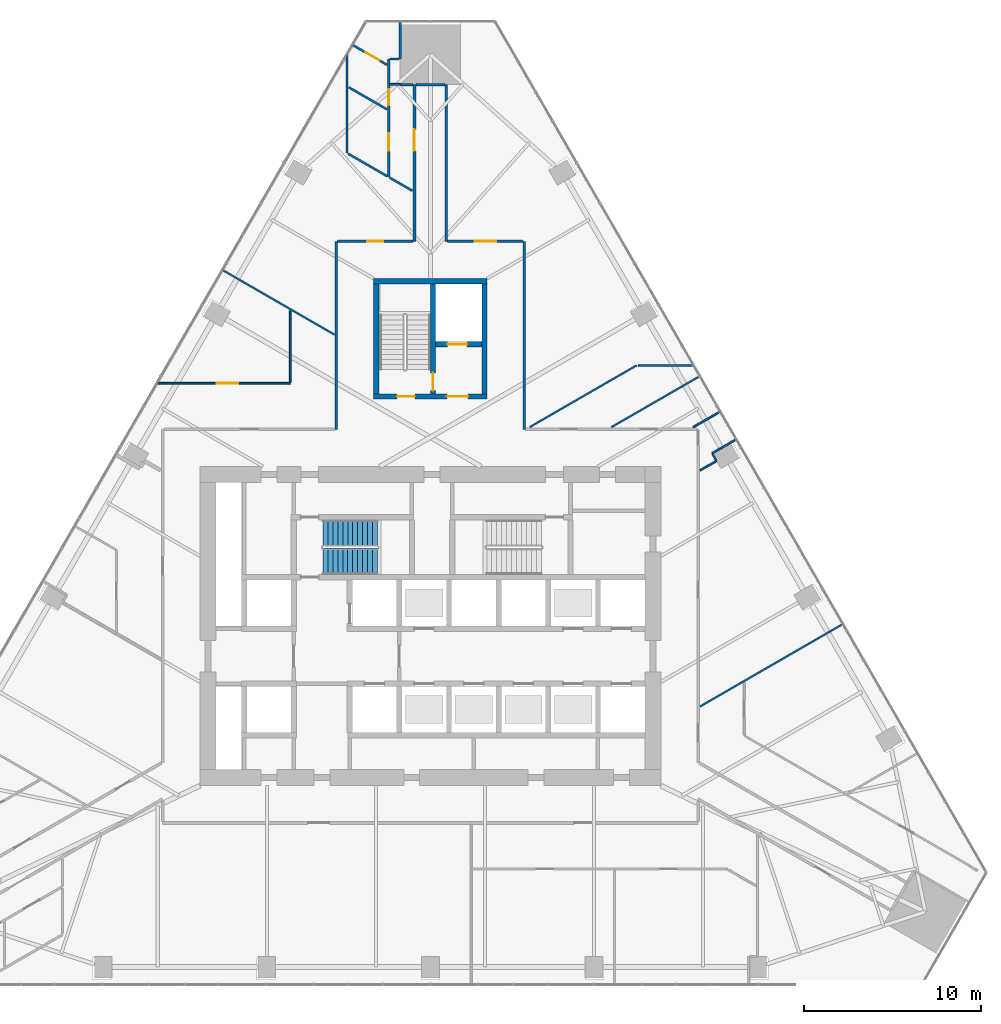
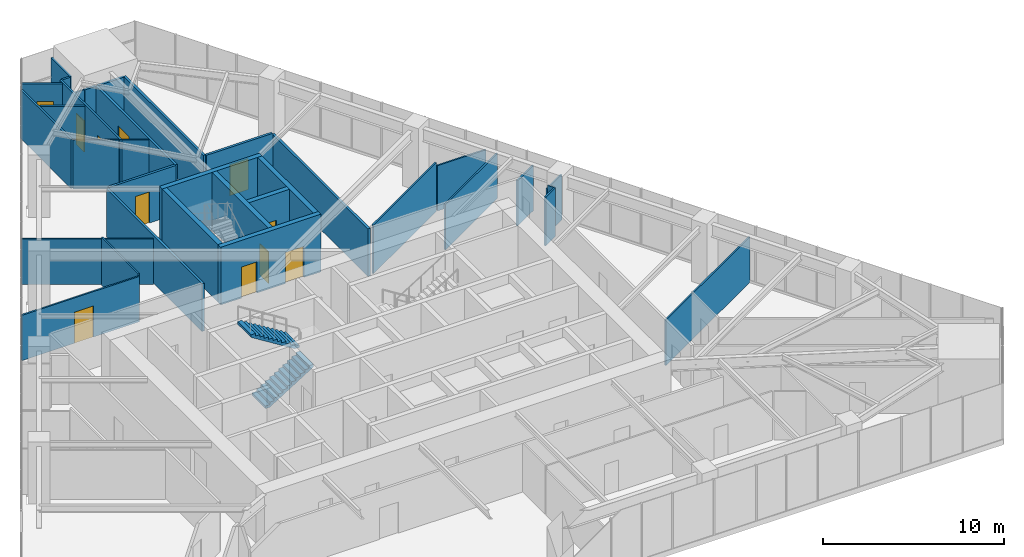
# One storey, part 16 of 19: 34 walls, 11 doors, 2 stair flights, 11 openings, 1 element without a shape of its own.
"""IFC4 building model written with IfcOpenShell, lengths in metres."""

from ifc_helpers import new_model, si_unit, direction, frame, frame_2d, origin, place, context, subcontext, project, spatial, polyline, rectangle, outline, extrude, material, layer, layer_set, type_object, element, fill, aggregate, save


model = new_model("IFC4")

# Units and contexts
model_context = context("Model", 3, precision=1e-05, world=origin(), true_north=direction((0.0, 1.0)))
body_context = subcontext(model_context, "Body", "Model", "MODEL_VIEW")
ifc_project = project(units=[si_unit("LENGTHUNIT", "METRE"), si_unit("AREAUNIT", "SQUARE_METRE"), si_unit("VOLUMEUNIT", "CUBIC_METRE"), si_unit("PLANEANGLEUNIT", "RADIAN"), si_unit("MASSUNIT", "GRAM", prefix="KILO")], contexts=[model_context])

# Site, building, storey
site_placement = place(None, origin())
site = spatial("IfcSite", under=ifc_project, at=site_placement, CompositionType="ELEMENT")
building_placement = place(site_placement, origin())
building = spatial("IfcBuilding", under=site, at=building_placement, Name="Firuza Gate Tower and Library", CompositionType="ELEMENT")
storey_placement = place(building_placement, frame((0.0, 0.0, 136.60009765625)))
storey = spatial("IfcBuildingStorey", under=building, at=storey_placement, Name="L31", CompositionType="ELEMENT", Elevation=136.60009765625)

# Wall, openings, doors
ifc_material_1 = material(Name="Concrete C80/95", Category="concrete")
ifc_layer_1 = layer(ifc_material_1, 0.300048828125)
ifc_layer_set_1 = layer_set([ifc_layer_1], Name="Core wall 300 C80/95")
wall_type_1 = type_object("IfcWallType", Name="Core wall 300 C80/95", PredefinedType="SHEAR", material=ifc_layer_set_1)
wall_1_placement = place(storey_placement, frame((71.800048828125, 87.949951171875, 0.0), z_axis=(0.0, 0.0, 1.0), x_axis=(1.0, 0.0, 0.0)))
wall_1 = element("IfcWall", 1, at=wall_1_placement, inside=storey, type_object=wall_type_1, Name="Core wall L31 34", PredefinedType="SHEAR", context=body_context, shape_type="SweptSolid", body=[
    extrude(rectangle(XDim=6.39990234375, YDim=0.300048828125, at=frame_2d((3.199951171875, 0.0))), origin(), (0.0, 0.0, 1.0), 3.89990234375),
])
opening_1_placement = place(wall_1_placement, frame((1.324951171875, 0.0, 0.0)))
opening_1 = element("IfcOpeningElement", 2, at=opening_1_placement, cuts=wall_1, Name="Opening L31-K17", PredefinedType="OPENING", context=body_context, shape_type="SweptSolid", body=[
    extrude(rectangle(XDim=1.0, YDim=2.10009765625, at=frame_2d((0.5, 1.050048828125))), frame((0.0, 0.16015625, 0.0), z_axis=(0.0, -1.0, 0.0), x_axis=(1.0, 0.0, 0.0)), (0.0, 0.0, 1.0), 0.320068359375),
])
opening_2_placement = place(wall_1_placement, frame((4.125, 0.0, 0.0)))
opening_2 = element("IfcOpeningElement", 3, at=opening_2_placement, cuts=wall_1, Name="Opening L31-K19", PredefinedType="OPENING", context=body_context, shape_type="SweptSolid", body=[
    extrude(rectangle(XDim=1.199951171875, YDim=2.10009765625, at=frame_2d((0.60009765625, 1.050048828125))), frame((0.0, 0.16015625, 0.0), z_axis=(0.0, -1.0, 0.0), x_axis=(1.0, 0.0, 0.0)), (0.0, 0.0, 1.0), 0.320068359375),
])
ifc_material_2 = material(Name="Steel", Category="steel")
door_type_1 = type_object("IfcDoorType", Name="Fire door 1000x2100 FD90", OperationType="NOTDEFINED", PredefinedType="DOOR", material=ifc_material_2)
door_1_placement = place(opening_1_placement, origin())
door_1 = element("IfcDoor", 4, at=door_1_placement, inside=storey, type_object=door_type_1, Name="Door L31-K17", OperationType="SINGLE_SWING_RIGHT", OverallHeight=2.10009765625, OverallWidth=1.0, PredefinedType="DOOR", context=body_context, shape_type="SweptSolid", body=[
    extrude(rectangle(XDim=1.0, YDim=2.10009765625, at=frame_2d((0.5, 1.050048828125))), frame((0.0, 0.02490234375, 0.0), z_axis=(0.0, -1.0, 0.0), x_axis=(1.0, 0.0, 0.0)), (0.0, 0.0, 1.0), 0.050048828125),
])
fill(opening_1, door_1)
ifc_material_3 = material(Name="Steel", Category="steel")
door_type_2 = type_object("IfcDoorType", Name="Fire door 1200x2100 FD30S", OperationType="NOTDEFINED", PredefinedType="DOOR", material=ifc_material_3)
door_2_placement = place(opening_2_placement, origin())
door_2 = element("IfcDoor", 5, at=door_2_placement, inside=storey, type_object=door_type_2, Name="Door L31-K19", OperationType="SINGLE_SWING_RIGHT", OverallHeight=2.10009765625, OverallWidth=1.199951171875, PredefinedType="DOOR", context=body_context, shape_type="SweptSolid", body=[
    extrude(rectangle(XDim=1.199951171875, YDim=2.10009765625, at=frame_2d((0.60009765625, 1.050048828125))), frame((0.0, 0.02490234375, 0.0), z_axis=(0.0, -1.0, 0.0), x_axis=(1.0, 0.0, 0.0)), (0.0, 0.0, 1.0), 0.050048828125),
])
fill(opening_2, door_2)

# Walls
wall_2_placement = place(storey_placement, frame((71.800048828125, 94.449951171875, 0.0), z_axis=(0.0, 0.0, 1.0), x_axis=(1.0, 0.0, 0.0)))
element("IfcWall", 6, at=wall_2_placement, inside=storey, type_object=wall_type_1, Name="Core wall L31 35", PredefinedType="SHEAR", context=body_context, shape_type="SweptSolid", body=[
    extrude(rectangle(XDim=6.39990234375, YDim=0.300048828125, at=frame_2d((3.199951171875, 0.0))), origin(), (0.0, 0.0, 1.0), 3.89990234375),
])
for number, where, z_axis, x_axis, name in (
    (7, (71.949951171875, 88.10009765625, 0.0), (0.0, 0.0, 1.0), (0.0, 1.0, 0.0), "Core wall L31 36"),
    (8, (78.050048828125, 88.10009765625, 0.0), (0.0, 0.0, 1.0), (0.0, 1.0, 0.0), "Core wall L31 37"),
):
    element("IfcWall", number, at=place(storey_placement, frame(where, z_axis=z_axis, x_axis=x_axis)), inside=storey, type_object=wall_type_1, Name=name, PredefinedType="SHEAR", context=body_context, shape_type="SweptSolid", body=[
        extrude(rectangle(XDim=6.199951171875, YDim=0.300048828125, at=frame_2d((3.10009765625, 0.0))), origin(), (0.0, 0.0, 1.0), 3.89990234375),
    ])

# Wall, opening, door
wall_3_placement = place(storey_placement, frame((75.300048828125, 90.89990234375, 0.0), z_axis=(0.0, 0.0, 1.0), x_axis=(1.0, 0.0, 0.0)))
wall_3 = element("IfcWall", 9, at=wall_3_placement, inside=storey, type_object=wall_type_1, Name="Core wall L31 38", PredefinedType="SHEAR", context=body_context, shape_type="SweptSolid", body=[
    extrude(rectangle(XDim=2.599853515625, YDim=0.300048828125, at=frame_2d((1.2998046875, 0.0))), origin(), (0.0, 0.0, 1.0), 3.89990234375),
])
opening_3_placement = place(wall_3_placement, frame((0.675048828125, 0.0, 0.0)))
opening_3 = element("IfcOpeningElement", 10, at=opening_3_placement, cuts=wall_3, Name="Opening LD-SV1-L31", PredefinedType="OPENING", context=body_context, shape_type="SweptSolid", body=[
    extrude(rectangle(XDim=1.10009765625, YDim=2.10009765625, at=frame_2d((0.550048828125, 1.050048828125))), frame((0.0, 0.16015625, 0.0), z_axis=(0.0, -1.0, 0.0), x_axis=(1.0, 0.0, 0.0)), (0.0, 0.0, 1.0), 0.320068359375),
])
ifc_material_4 = material(Name="Stainless steel", Category="steel")
door_type_3 = type_object("IfcDoorType", Name="Lift landing door 1100x2100", OperationType="DOUBLE_DOOR_SLIDING", PredefinedType="DOOR", material=ifc_material_4)
door_3_placement = place(opening_3_placement, origin())
door_3 = element("IfcDoor", 11, at=door_3_placement, inside=storey, type_object=door_type_3, Name="Landing door SV1 L31", OperationType="DOUBLE_DOOR_SLIDING", OverallHeight=2.10009765625, OverallWidth=1.10009765625, PredefinedType="DOOR", context=body_context, shape_type="SweptSolid", body=[
    extrude(rectangle(XDim=1.10009765625, YDim=2.10009765625, at=frame_2d((0.550048828125, 1.050048828125))), frame((0.0, 0.02490234375, 0.0), z_axis=(0.0, -1.0, 0.0), x_axis=(1.0, 0.0, 0.0)), (0.0, 0.0, 1.0), 0.050048828125),
])
fill(opening_3, door_3)

wall_4_placement = place(storey_placement, frame((75.14990234375, 88.10009765625, 0.0), z_axis=(0.0, 0.0, 1.0), x_axis=(0.0, 1.0, 0.0)))
wall_4 = element("IfcWall", 12, at=wall_4_placement, inside=storey, type_object=wall_type_1, Name="Core wall L31 39", PredefinedType="SHEAR", context=body_context, shape_type="SweptSolid", body=[
    extrude(rectangle(XDim=6.199951171875, YDim=0.300048828125, at=frame_2d((3.10009765625, 0.0))), origin(), (0.0, 0.0, 1.0), 3.89990234375),
])
opening_4_placement = place(wall_4_placement, frame((0.18505859375, 0.0, 0.0)))
opening_4 = element("IfcOpeningElement", 13, at=opening_4_placement, cuts=wall_4, Name="Opening L31-K18", PredefinedType="OPENING", context=body_context, shape_type="SweptSolid", body=[
    extrude(rectangle(XDim=1.0, YDim=2.10009765625, at=frame_2d((0.5, 1.050048828125))), frame((0.0, 0.16015625, 0.0), z_axis=(0.0, -1.0, 0.0), x_axis=(1.0, 0.0, 0.0)), (0.0, 0.0, 1.0), 0.320068359375),
])
door_4_placement = place(opening_4_placement, origin())
door_4 = element("IfcDoor", 14, at=door_4_placement, inside=storey, type_object=door_type_1, Name="Door L31-K18", OperationType="SINGLE_SWING_LEFT", OverallHeight=2.10009765625, OverallWidth=1.0, PredefinedType="DOOR", context=body_context, shape_type="SweptSolid", body=[
    extrude(rectangle(XDim=1.0, YDim=2.10009765625, at=frame_2d((0.5, 1.050048828125))), frame((0.0, 0.02490234375, 0.0), z_axis=(0.0, -1.0, 0.0), x_axis=(1.0, 0.0, 0.0)), (0.0, 0.0, 1.0), 0.050048828125),
])
fill(opening_4, door_4)

ifc_material_5 = material(Name="Gypsum board partition")
ifc_layer_2 = layer(ifc_material_5, 0.14990234375)
ifc_layer_set_2 = layer_set([ifc_layer_2], Name="Corridor wall 150 double board on steel studs")
wall_type_2 = type_object("IfcWallType", Name="Corridor wall 150 double board on steel studs", PredefinedType="PARTITIONING", material=ifc_layer_set_2)
wall_5_placement = place(storey_placement, frame((69.775390625, 96.699951171875, 0.0), z_axis=(0.0, 0.0, 1.0), x_axis=(1.0, 0.0, 0.0)))
wall_5 = element("IfcWall", 15, at=wall_5_placement, inside=storey, type_object=wall_type_2, Name="f:L31:w007", PredefinedType="PARTITIONING", context=body_context, shape_type="SweptSolid", body=[
    extrude(rectangle(XDim=4.24951171875, YDim=0.14990234375, at=frame_2d((2.124755859375, 0.0))), origin(), (0.0, 0.0, 1.0), 3.2998046875),
])
opening_5_placement = place(wall_5_placement, frame((1.6748046875, 0.0, 0.0)))
opening_5 = element("IfcOpeningElement", 16, at=opening_5_placement, cuts=wall_5, Name="Opening L31-09", PredefinedType="OPENING", context=body_context, shape_type="SweptSolid", body=[
    extrude(rectangle(XDim=0.89990234375, YDim=2.10009765625, at=frame_2d((0.449951171875, 1.050048828125))), frame((0.0, 0.0849609375, 0.0), z_axis=(0.0, -1.0, 0.0), x_axis=(1.0, 0.0, 0.0)), (0.0, 0.0, 1.0), 0.169921875),
])
ifc_material_6 = material(Name="Steel door and timber leaf", Category="steel")
door_type_4 = type_object("IfcDoorType", Name="Fire door 900 x 2100 steel frame, timber leaf", OperationType="NOTDEFINED", PredefinedType="DOOR", material=ifc_material_6)
door_5_placement = place(opening_5_placement, origin())
door_5 = element("IfcDoor", 17, at=door_5_placement, inside=storey, type_object=door_type_4, Name="f:L31:d009", OperationType="SINGLE_SWING_RIGHT", OverallHeight=2.10009765625, OverallWidth=0.89990234375, PredefinedType="DOOR", context=body_context, shape_type="SweptSolid", body=[
    extrude(rectangle(XDim=0.89990234375, YDim=2.10009765625, at=frame_2d((0.449951171875, 1.050048828125))), frame((0.0, 0.02490234375, 0.0), z_axis=(0.0, -1.0, 0.0), x_axis=(1.0, 0.0, 0.0)), (0.0, 0.0, 1.0), 0.050048828125),
])
fill(opening_5, door_5)

wall_6_placement = place(storey_placement, frame((75.97509765625, 96.699951171875, 0.0), z_axis=(0.0, 0.0, 1.0), x_axis=(1.0, 0.0, 0.0)))
wall_6 = element("IfcWall", 18, at=wall_6_placement, inside=storey, type_object=wall_type_2, Name="f:L31:w008", PredefinedType="PARTITIONING", context=body_context, shape_type="SweptSolid", body=[
    extrude(rectangle(XDim=4.249267578125, YDim=0.14990234375, at=frame_2d((2.12451171875, 0.0))), origin(), (0.0, 0.0, 1.0), 3.2998046875),
])
opening_6_placement = place(wall_6_placement, frame((1.524658203125, 0.0, 0.0)))
opening_6 = element("IfcOpeningElement", 19, at=opening_6_placement, cuts=wall_6, Name="Opening L31-10", PredefinedType="OPENING", context=body_context, shape_type="SweptSolid", body=[
    extrude(rectangle(XDim=1.199951171875, YDim=2.10009765625, at=frame_2d((0.60009765625, 1.050048828125))), frame((0.0, 0.0849609375, 0.0), z_axis=(0.0, -1.0, 0.0), x_axis=(1.0, 0.0, 0.0)), (0.0, 0.0, 1.0), 0.169921875),
])
ifc_material_7 = material(Name="Steel door and timber leaf", Category="steel")
door_type_5 = type_object("IfcDoorType", Name="Fire door 1200 x 2100 steel frame, double leaf", OperationType="NOTDEFINED", PredefinedType="DOOR", material=ifc_material_7)
door_6_placement = place(opening_6_placement, origin())
door_6 = element("IfcDoor", 20, at=door_6_placement, inside=storey, type_object=door_type_5, Name="f:L31:d010", OperationType="DOUBLE_DOOR_SINGLE_SWING", OverallHeight=2.10009765625, OverallWidth=1.199951171875, PredefinedType="DOOR", context=body_context, shape_type="SweptSolid", body=[
    extrude(rectangle(XDim=1.199951171875, YDim=2.10009765625, at=frame_2d((0.60009765625, 1.050048828125))), frame((0.0, 0.02490234375, 0.0), z_axis=(0.0, -1.0, 0.0), x_axis=(1.0, 0.0, 0.0)), (0.0, 0.0, 1.0), 0.050048828125),
])
fill(opening_6, door_6)

# Walls
wall_7_placement = place(storey_placement, frame((73.300537109375, 105.528076171875, 0.0), z_axis=(0.0, 0.0, 1.0), x_axis=(1.0, 0.0, 0.0)))
element("IfcWall", 21, at=wall_7_placement, inside=storey, type_object=wall_type_2, Name="f:L31:w009", PredefinedType="PARTITIONING", context=body_context, shape_type="SweptSolid", body=[
    extrude(rectangle(XDim=0.724365234375, YDim=0.14990234375, at=frame_2d((0.3623046875, 0.0))), origin(), (0.0, 0.0, 1.0), 3.2998046875),
])
wall_8_placement = place(storey_placement, frame((80.300048828125, 86.10009765625, 0.0), z_axis=(0.0, 0.0, 1.0), x_axis=(0.0, 1.0, 0.0)))
element("IfcWall", 22, at=wall_8_placement, inside=storey, type_object=wall_type_2, Name="f:L31:w036", PredefinedType="PARTITIONING", context=body_context, shape_type="SweptSolid", body=[
    extrude(rectangle(XDim=10.599365234375, YDim=0.14990234375, at=frame_2d((5.2998046875, 0.0))), origin(), (0.0, 0.0, 1.0), 3.221923828125),
])
wall_9_placement = place(storey_placement, frame((75.89990234375, 96.699951171875, 0.0), z_axis=(0.0, 0.0, 1.0), x_axis=(0.0, 1.0, 0.0)))
element("IfcWall", 23, at=wall_9_placement, inside=storey, type_object=wall_type_2, Name="f:L31:w038", PredefinedType="PARTITIONING", context=body_context, shape_type="SweptSolid", body=[
    extrude(rectangle(XDim=8.827880859375, YDim=0.14990234375, at=frame_2d((4.4140625, 0.0))), origin(), (0.0, 0.0, 1.0), 3.2998046875),
])

# Wall, opening, door
wall_10_placement = place(storey_placement, frame((74.10009765625, 96.699951171875, 0.0), z_axis=(0.0, 0.0, 1.0), x_axis=(0.0, 1.0, 0.0)))
wall_10 = element("IfcWall", 24, at=wall_10_placement, inside=storey, type_object=wall_type_2, Name="f:L31:w039", PredefinedType="PARTITIONING", context=body_context, shape_type="SweptSolid", body=[
    extrude(rectangle(XDim=8.828369140625, YDim=0.14990234375, at=frame_2d((4.4140625, 0.0))), origin(), (0.0, 0.0, 1.0), 3.2998046875),
])
opening_7_placement = place(wall_10_placement, frame((5.103515625, 0.0, 0.0)))
opening_7 = element("IfcOpeningElement", 25, at=opening_7_placement, cuts=wall_10, Name="Opening L31-21", PredefinedType="OPENING", context=body_context, shape_type="SweptSolid", body=[
    extrude(rectangle(XDim=1.199951171875, YDim=2.10009765625, at=frame_2d((0.60009765625, 1.050048828125))), frame((0.0, 0.0849609375, 0.0), z_axis=(0.0, -1.0, 0.0), x_axis=(1.0, 0.0, 0.0)), (0.0, 0.0, 1.0), 0.169921875),
])
door_7_placement = place(opening_7_placement, origin())
door_7 = element("IfcDoor", 26, at=door_7_placement, inside=storey, type_object=door_type_5, Name="f:L31:d021", OperationType="DOUBLE_DOOR_SINGLE_SWING", OverallHeight=2.10009765625, OverallWidth=1.199951171875, PredefinedType="DOOR", context=body_context, shape_type="SweptSolid", body=[
    extrude(rectangle(XDim=1.199951171875, YDim=2.10009765625, at=frame_2d((0.60009765625, 1.050048828125))), frame((0.0, 0.02490234375, 0.0), z_axis=(0.0, -1.0, 0.0), x_axis=(1.0, 0.0, 0.0)), (0.0, 0.0, 1.0), 0.050048828125),
])
fill(opening_7, door_7)

# Walls
wall_11_placement = place(storey_placement, frame((69.699951171875, 86.10009765625, 0.0), z_axis=(0.0, 0.0, 1.0), x_axis=(0.0, 1.0, 0.0)))
element("IfcWall", 27, at=wall_11_placement, inside=storey, type_object=wall_type_2, Name="f:L31:w043", PredefinedType="PARTITIONING", context=body_context, shape_type="SweptSolid", body=[
    extrude(rectangle(XDim=10.599365234375, YDim=0.14990234375, at=frame_2d((5.2998046875, 0.0))), origin(), (0.0, 0.0, 1.0), 3.221923828125),
])
wall_12_placement = place(storey_placement, frame((74.175048828125, 105.528076171875, 0.0), z_axis=(0.0, 0.0, 1.0), x_axis=(1.0, 0.0, 0.0)))
element("IfcWall", 28, at=wall_12_placement, inside=storey, type_object=wall_type_2, Name="f:L31:w073", PredefinedType="PARTITIONING", context=body_context, shape_type="SweptSolid", body=[
    extrude(rectangle(XDim=1.6494140625, YDim=0.14990234375, at=frame_2d((0.82470703125, 0.0))), origin(), (0.0, 0.0, 1.0), 3.296875),
])

# Wall, opening, door
ifc_material_8 = material(Name="Gypsum board partition")
ifc_layer_3 = layer(ifc_material_8, 0.10009765625)
ifc_layer_set_3 = layer_set([ifc_layer_3], Name="Partition 100 gypsum board on steel studs")
wall_type_3 = type_object("IfcWallType", Name="Partition 100 gypsum board on steel studs", PredefinedType="PARTITIONING", material=ifc_layer_set_3)
wall_13_placement = place(storey_placement, frame((67.099609375, 88.699951171875, 0.0), z_axis=(0.0, 0.0, 1.0), x_axis=(-1.0, 0.0, 0.0)))
wall_13 = element("IfcWall", 29, at=wall_13_placement, inside=storey, type_object=wall_type_3, Name="f:L31:w005", PredefinedType="PARTITIONING", context=body_context, shape_type="SweptSolid", body=[
    extrude(rectangle(XDim=7.50537109375, YDim=0.10009765625, at=frame_2d((3.752685546875, 0.0))), origin(), (0.0, 0.0, 1.0), 3.06494140625),
])
opening_8_placement = place(wall_13_placement, frame((2.94482421875, 0.0, 0.0)))
opening_8 = element("IfcOpeningElement", 30, at=opening_8_placement, cuts=wall_13, Name="Opening L31-08", PredefinedType="OPENING", context=body_context, shape_type="SweptSolid", body=[
    extrude(rectangle(XDim=1.199951171875, YDim=2.10009765625, at=frame_2d((0.60009765625, 1.050048828125))), frame((0.0, 0.06005859375, 0.0), z_axis=(0.0, -1.0, 0.0), x_axis=(1.0, 0.0, 0.0)), (0.0, 0.0, 1.0), 0.1201171875),
])
ifc_material_9 = material(Name="Glazed aluminium door", Category="aluminium")
door_type_6 = type_object("IfcDoorType", Name="Door 1200 x 2100 glazed double leaf", OperationType="NOTDEFINED", PredefinedType="DOOR", material=ifc_material_9)
door_8_placement = place(opening_8_placement, origin())
door_8 = element("IfcDoor", 31, at=door_8_placement, inside=storey, type_object=door_type_6, Name="f:L31:d008", OperationType="DOUBLE_DOOR_SINGLE_SWING", OverallHeight=2.10009765625, OverallWidth=1.199951171875, PredefinedType="DOOR", context=body_context, shape_type="SweptSolid", body=[
    extrude(rectangle(XDim=1.199951171875, YDim=2.10009765625, at=frame_2d((0.60009765625, 1.050048828125))), frame((0.0, 0.02490234375, 0.0), z_axis=(0.0, -1.0, 0.0), x_axis=(1.0, 0.0, 0.0)), (0.0, 0.0, 1.0), 0.050048828125),
])
fill(opening_8, door_8)

# Walls
wall_14_placement = place(storey_placement, frame((86.728271484375, 89.699951171875, 0.0), z_axis=(0.0, 0.0, 1.0), x_axis=(1.0, 0.0, 0.0)))
element("IfcWall", 32, at=wall_14_placement, inside=storey, type_object=wall_type_3, Name="f:L31:w006", PredefinedType="PARTITIONING", context=body_context, shape_type="SweptSolid", body=[
    extrude(rectangle(XDim=3.10009765625, YDim=0.10009765625, at=frame_2d((1.550048828125, 0.0))), origin(), (0.0, 0.0, 1.0), 3.06494140625),
])
wall_15_placement = place(storey_placement, frame((72.7099609375, 105.548095703125, 0.0), z_axis=(0.0, 0.0, 1.0), x_axis=(1.0, 0.0, 0.0)))
element("IfcWall", 33, at=wall_15_placement, inside=storey, type_object=wall_type_3, Name="f:L31:w010", PredefinedType="PARTITIONING", context=body_context, shape_type="SweptSolid", body=[
    extrude(rectangle(XDim=0.590087890625, YDim=0.10009765625, at=frame_2d((0.294921875, 0.0))), origin(), (0.0, 0.0, 1.0), 3.2998046875),
])
wall_16_placement = place(storey_placement, frame((90.200927734375, 70.4638671875, 0.0), z_axis=(0.0, 0.0, 1.0), x_axis=(0.8660316334, 0.499989209833, 0.0)))
element("IfcWall", 34, at=wall_16_placement, inside=storey, type_object=wall_type_3, Name="f:L31:w013", PredefinedType="PARTITIONING", context=body_context, shape_type="SweptSolid", body=[
    extrude(rectangle(XDim=9.295654296875, YDim=0.10009765625, at=frame_2d((4.64794921875, 0.0))), origin(), (0.0, 0.0, 1.0), 3.06494140625),
])
wall_17_placement = place(storey_placement, frame((90.200927734375, 83.7763671875, 0.0), z_axis=(0.0, 0.0, 1.0), x_axis=(0.866034889475, 0.499983569942, 0.0)))
element("IfcWall", 35, at=wall_17_placement, inside=storey, type_object=wall_type_3, Name="f:L31:w018", PredefinedType="PARTITIONING", context=body_context, shape_type="SweptSolid", body=[
    extrude(rectangle(XDim=1.0791015625, YDim=0.10009765625, at=frame_2d((0.53955078125, 0.0))), origin(), (0.0, 0.0, 1.0), 3.2998046875),
])
wall_18_placement = place(storey_placement, frame((90.885498046875, 84.7490234375, 0.0), z_axis=(0.0, 0.0, 1.0), x_axis=(0.866029224906, 0.499993381564, 0.0)))
element("IfcWall", 36, at=wall_18_placement, inside=storey, type_object=wall_type_3, Name="f:L31:w019", PredefinedType="PARTITIONING", context=body_context, shape_type="SweptSolid", body=[
    extrude(rectangle(XDim=1.56005859375, YDim=0.10009765625, at=frame_2d((0.780029296875, 0.0))), origin(), (0.0, 0.0, 1.0), 3.06494140625),
])
wall_19_placement = place(storey_placement, frame((89.82177734375, 86.22021484375, 0.0), z_axis=(0.0, 0.0, 1.0), x_axis=(0.866022549299, 0.50000494408, 0.0)))
element("IfcWall", 37, at=wall_19_placement, inside=storey, type_object=wall_type_3, Name="f:L31:w021", PredefinedType="PARTITIONING", context=body_context, shape_type="SweptSolid", body=[
    extrude(rectangle(XDim=1.74560546875, YDim=0.10009765625, at=frame_2d((0.872802734375, 0.0))), origin(), (0.0, 0.0, 1.0), 3.06494140625),
])
wall_20_placement = place(storey_placement, frame((85.210693359375, 86.219482421875, 0.0), z_axis=(0.0, 0.0, 1.0), x_axis=(0.866012033619, 0.50002315709, 0.0)))
element("IfcWall", 38, at=wall_20_placement, inside=storey, type_object=wall_type_3, Name="f:L31:w023", PredefinedType="PARTITIONING", context=body_context, shape_type="SweptSolid", body=[
    extrude(rectangle(XDim=5.739501953125, YDim=0.10009765625, at=frame_2d((2.86962890625, 0.0))), origin(), (0.0, 0.0, 1.0), 3.06494140625),
])
wall_21_placement = place(storey_placement, frame((80.59912109375, 86.2197265625, 0.0), z_axis=(0.0, 0.0, 1.0), x_axis=(0.866015615191, 0.500016953958, 0.0)))
element("IfcWall", 39, at=wall_21_placement, inside=storey, type_object=wall_type_3, Name="f:L31:w024", PredefinedType="PARTITIONING", context=body_context, shape_type="SweptSolid", body=[
    extrude(rectangle(XDim=6.960693359375, YDim=0.10009765625, at=frame_2d((3.48046875, 0.0))), origin(), (0.0, 0.0, 1.0), 3.2998046875),
])
wall_22_placement = place(storey_placement, frame((67.10009765625, 88.75048828125, 0.0), z_axis=(0.0, 0.0, 1.0), x_axis=(0.0, 1.0, 0.0)))
element("IfcWall", 40, at=wall_22_placement, inside=storey, type_object=wall_type_3, Name="f:L31:w044", PredefinedType="PARTITIONING", context=body_context, shape_type="SweptSolid", body=[
    extrude(rectangle(XDim=4.03515625, YDim=0.10009765625, at=frame_2d((2.017578125, 0.0))), origin(), (0.0, 0.0, 1.0), 3.221923828125),
])
wall_23_placement = place(storey_placement, frame((91.10595703125, 84.367919921875, 0.0), z_axis=(0.0, 0.0, 1.0), x_axis=(-0.499975232926, 0.866039702589, 0.0)))
element("IfcWall", 41, at=wall_23_placement, inside=storey, type_object=wall_type_3, Name="f:L31:w051", PredefinedType="PARTITIONING", context=body_context, shape_type="SweptSolid", body=[
    extrude(rectangle(XDim=0.39013671875, YDim=0.10009765625, at=frame_2d((0.195068359375, 0.0))), origin(), (0.0, 0.0, 1.0), 3.2998046875),
])
wall_24_placement = place(storey_placement, frame((69.59912109375, 91.430908203125, 0.0), z_axis=(0.0, 0.0, 1.0), x_axis=(-0.866036312054, 0.499981105847, 0.0)))
element("IfcWall", 42, at=wall_24_placement, inside=storey, type_object=wall_type_3, Name="f:L31:w057", PredefinedType="PARTITIONING", context=body_context, shape_type="SweptSolid", body=[
    extrude(rectangle(XDim=7.299072265625, YDim=0.10009765625, at=frame_2d((3.6494140625, 0.0))), origin(), (0.0, 0.0, 1.0), 3.06494140625),
])
ifc_material_10 = material(Name="Gypsum board partition")
ifc_layer_4 = layer(ifc_material_10, 0.1201171875)
ifc_layer_set_4 = layer_set([ifc_layer_4], Name="Wet-area partition 120 moisture-resistant board")
wall_type_4 = type_object("IfcWallType", Name="Wet-area partition 120 moisture-resistant board", PredefinedType="PARTITIONING", material=ifc_layer_set_4)
wall_25_placement = place(storey_placement, frame((72.7099609375, 106.97802734375, 0.0), z_axis=(0.0, 0.0, 1.0), x_axis=(1.0, 0.0, 0.0)))
element("IfcWall", 43, at=wall_25_placement, inside=storey, type_object=wall_type_4, Name="f:L31:w011", PredefinedType="PARTITIONING", context=body_context, shape_type="SweptSolid", body=[
    extrude(rectangle(XDim=0.530029296875, YDim=0.1201171875, at=frame_2d((0.26513671875, 0.0))), origin(), (0.0, 0.0, 1.0), 3.2998046875),
])
wall_26_placement = place(storey_placement, frame((73.300048828125, 106.978271484375, 0.0), z_axis=(0.0, 0.0, 1.0), x_axis=(0.0, 1.0, 0.0)))
element("IfcWall", 44, at=wall_26_placement, inside=storey, type_object=wall_type_4, Name="f:L31:w040", PredefinedType="PARTITIONING", context=body_context, shape_type="SweptSolid", body=[
    extrude(rectangle(XDim=2.110107421875, YDim=0.1201171875, at=frame_2d((1.05517578125, 0.0))), origin(), (0.0, 0.0, 1.0), 3.2998046875),
])

# Wall, openings, doors
wall_27_placement = place(storey_placement, frame((72.64990234375, 106.978271484375, 0.0), z_axis=(0.0, 0.0, 1.0), x_axis=(0.0, -1.0, 0.0)))
wall_27 = element("IfcWall", 45, at=wall_27_placement, inside=storey, type_object=wall_type_4, Name="f:L31:w041", PredefinedType="PARTITIONING", context=body_context, shape_type="SweptSolid", body=[
    extrude(rectangle(XDim=6.6591796875, YDim=0.1201171875, at=frame_2d((3.32958984375, 0.0))), origin(), (0.0, 0.0, 1.0), 3.2998046875),
])
opening_9_placement = place(wall_27_placement, frame((1.714111328125, 0.0, 0.0)))
opening_9 = element("IfcOpeningElement", 46, at=opening_9_placement, cuts=wall_27, Name="Opening L31-22", PredefinedType="OPENING", context=body_context, shape_type="SweptSolid", body=[
    extrude(rectangle(XDim=0.89990234375, YDim=2.10009765625, at=frame_2d((0.449951171875, 1.050048828125))), frame((0.0, 0.070068359375, 0.0), z_axis=(0.0, -1.0, 0.0), x_axis=(1.0, 0.0, 0.0)), (0.0, 0.0, 1.0), 0.14013671875),
])
opening_10_placement = place(wall_27_placement, frame((4.175048828125, 0.0, 0.0)))
opening_10 = element("IfcOpeningElement", 47, at=opening_10_placement, cuts=wall_27, Name="Opening L31-23", PredefinedType="OPENING", context=body_context, shape_type="SweptSolid", body=[
    extrude(rectangle(XDim=1.0, YDim=2.10009765625, at=frame_2d((0.5, 1.050048828125))), frame((0.0, 0.070068359375, 0.0), z_axis=(0.0, -1.0, 0.0), x_axis=(1.0, 0.0, 0.0)), (0.0, 0.0, 1.0), 0.14013671875),
])
ifc_material_11 = material(Name="Timber door", Category="wood")
door_type_7 = type_object("IfcDoorType", Name="Door 1000 x 2100 timber leaf", OperationType="NOTDEFINED", PredefinedType="DOOR", material=ifc_material_11)
door_9_placement = place(opening_10_placement, origin())
door_9 = element("IfcDoor", 48, at=door_9_placement, inside=storey, type_object=door_type_7, Name="f:L31:d023", OperationType="SINGLE_SWING_RIGHT", OverallHeight=2.10009765625, OverallWidth=1.0, PredefinedType="DOOR", context=body_context, shape_type="SweptSolid", body=[
    extrude(rectangle(XDim=1.0, YDim=2.10009765625, at=frame_2d((0.5, 1.050048828125))), frame((0.0, 0.02490234375, 0.0), z_axis=(0.0, -1.0, 0.0), x_axis=(1.0, 0.0, 0.0)), (0.0, 0.0, 1.0), 0.050048828125),
])
fill(opening_10, door_9)
ifc_material_12 = material(Name="Timber door", Category="wood")
door_type_8 = type_object("IfcDoorType", Name="Door 900 x 2100 timber leaf", OperationType="NOTDEFINED", PredefinedType="DOOR", material=ifc_material_12)
door_10_placement = place(opening_9_placement, origin())
door_10 = element("IfcDoor", 49, at=door_10_placement, inside=storey, type_object=door_type_8, Name="f:L31:d022", OperationType="SINGLE_SWING_LEFT", OverallHeight=2.10009765625, OverallWidth=0.89990234375, PredefinedType="DOOR", context=body_context, shape_type="SweptSolid", body=[
    extrude(rectangle(XDim=0.89990234375, YDim=2.10009765625, at=frame_2d((0.449951171875, 1.050048828125))), frame((0.0, 0.02490234375, 0.0), z_axis=(0.0, -1.0, 0.0), x_axis=(1.0, 0.0, 0.0)), (0.0, 0.0, 1.0), 0.050048828125),
])
fill(opening_9, door_10)

# Wall
wall_28_placement = place(storey_placement, frame((70.300048828125, 101.6767578125, 0.0), z_axis=(0.0, 0.0, 1.0), x_axis=(0.0, 1.0, 0.0)))
element("IfcWall", 50, at=wall_28_placement, inside=storey, type_object=wall_type_4, Name="f:L31:w042", PredefinedType="PARTITIONING", context=body_context, shape_type="SweptSolid", body=[
    extrude(rectangle(XDim=5.56640625, YDim=0.1201171875, at=frame_2d((2.783203125, 0.0))), origin(), (0.0, 0.0, 1.0), 3.2998046875),
])

# Wall, opening, door
wall_29_placement = place(storey_placement, frame((72.555419921875, 106.6484375, 0.0), z_axis=(0.0, 0.0, 1.0), x_axis=(-0.866024802457, 0.500001041529, 0.0)))
wall_29 = element("IfcWall", 51, at=wall_29_placement, inside=storey, type_object=wall_type_4, Name="f:L31:w054", PredefinedType="PARTITIONING", context=body_context, shape_type="SweptSolid", body=[
    extrude(rectangle(XDim=2.25048828125, YDim=0.1201171875, at=frame_2d((1.125244140625, 0.0))), origin(), (0.0, 0.0, 1.0), 3.2998046875),
])
opening_11_placement = place(wall_29_placement, frame((0.495361328125, 0.0, 0.0)))
opening_11 = element("IfcOpeningElement", 52, at=opening_11_placement, cuts=wall_29, Name="Opening L31-27", PredefinedType="OPENING", context=body_context, shape_type="SweptSolid", body=[
    extrude(rectangle(XDim=0.89990234375, YDim=2.10009765625, at=frame_2d((0.449951171875, 1.050048828125))), frame((0.0, 0.070068359375, 0.0), z_axis=(0.0, -1.0, 0.0), x_axis=(1.0, 0.0, 0.0)), (0.0, 0.0, 1.0), 0.14013671875),
])
door_11_placement = place(opening_11_placement, origin())
door_11 = element("IfcDoor", 53, at=door_11_placement, inside=storey, type_object=door_type_8, Name="f:L31:d027", OperationType="SINGLE_SWING_LEFT", OverallHeight=2.10009765625, OverallWidth=0.89990234375, PredefinedType="DOOR", context=body_context, shape_type="SweptSolid", body=[
    extrude(rectangle(XDim=0.89990234375, YDim=2.10009765625, at=frame_2d((0.449951171875, 1.050048828125))), frame((0.0, 0.02490234375, 0.0), z_axis=(0.0, -1.0, 0.0), x_axis=(1.0, 0.0, 0.0)), (0.0, 0.0, 1.0), 0.050048828125),
])
fill(opening_11, door_11)

# Walls
wall_30_placement = place(storey_placement, frame((72.55517578125, 104.13818359375, 0.0), z_axis=(0.0, 0.0, 1.0), x_axis=(-0.866006330792, 0.500033033937, 0.0)))
element("IfcWall", 54, at=wall_30_placement, inside=storey, type_object=wall_type_4, Name="f:L31:w055", PredefinedType="PARTITIONING", context=body_context, shape_type="SweptSolid", body=[
    extrude(rectangle(XDim=2.494873046875, YDim=0.1201171875, at=frame_2d((1.24755859375, 0.0))), origin(), (0.0, 0.0, 1.0), 3.2998046875),
])
wall_31_placement = place(storey_placement, frame((73.990478515625, 99.54541015625, 0.0), z_axis=(0.0, 0.0, 1.0), x_axis=(-0.866055123991, 0.49994851956, 0.0)))
element("IfcWall", 55, at=wall_31_placement, inside=storey, type_object=wall_type_4, Name="f:L31:w056", PredefinedType="PARTITIONING", context=body_context, shape_type="SweptSolid", body=[
    extrude(rectangle(XDim=1.495849609375, YDim=0.1201171875, at=frame_2d((0.748046875, 0.0))), origin(), (0.0, 0.0, 1.0), 3.2998046875),
])
wall_32_placement = place(storey_placement, frame((72.56005859375, 100.37109375, 0.0), z_axis=(0.0, 0.0, 1.0), x_axis=(-0.866004731956, 0.500035802948, 0.0)))
element("IfcWall", 56, at=wall_32_placement, inside=storey, type_object=wall_type_4, Name="f:L31:w077", PredefinedType="PARTITIONING", context=body_context, shape_type="SweptSolid", body=[
    extrude(rectangle(XDim=2.540283203125, YDim=0.1201171875, at=frame_2d((1.27001953125, 0.0))), origin(), (0.0, 0.0, 1.0), 3.2998046875),
])

# Stair, stair flights
ifc_material_13 = material(Name="Concrete C35/45", Category="concrete")
stair_type = type_object("IfcStairType", Name="Exit stair ST5", PredefinedType="HALF_TURN_STAIR", material=ifc_material_13)
stair_placement = place(storey_placement, origin())
stair = element("IfcStair", 57, at=stair_placement, inside=storey, type_object=stair_type, Name="L31 Stair ST1", PredefinedType="HALF_TURN_STAIR")
ifc_material_14 = material(Name="Concrete C35/45", Category="concrete")
stair_flight_type = type_object("IfcStairFlightType", Name="Stair flight 12 risers 175 width 1490", PredefinedType="STRAIGHT", material=ifc_material_14)
stair_flight_1_placement = place(storey_placement, frame((68.93994140625, 78.64501953125, 0.0), z_axis=(0.0, 0.0, 1.0), x_axis=(1.0, 0.0, 0.0)))
stair_flight_1 = element("IfcStairFlight", 58, at=stair_flight_1_placement, type_object=stair_flight_type, Name="ST1 flight 1", NumberOfRisers=12, NumberOfTreads=11, PredefinedType="STRAIGHT", RiserHeight=0.175, TreadLength=0.28, context=body_context, shape_type="SweptSolid", body=[
    extrude(outline(polyline([(0.0, 0.0), (0.0, 0.175048828125), (0.280029296875, 0.175048828125), (0.280029296875, 0.35009765625), (0.56005859375, 0.35009765625), (0.56005859375, 0.52490234375), (0.840087890625, 0.52490234375), (0.840087890625, 0.699951171875), (1.1201171875, 0.699951171875), (1.1201171875, 0.875), (1.39990234375, 0.875), (1.39990234375, 1.050048828125), (1.679931640625, 1.050048828125), (1.679931640625, 1.22509765625), (1.9599609375, 1.22509765625), (1.9599609375, 1.39990234375), (2.239990234375, 1.39990234375), (2.239990234375, 1.574951171875), (2.52001953125, 1.574951171875), (2.52001953125, 1.75), (2.800048828125, 1.75), (2.800048828125, 1.925048828125), (3.080078125, 1.925048828125), (3.080078125, 2.10009765625), (3.080078125, 1.748291015625), (0.28271484375, 0.0), (0.0, 0.0)])), frame((0.0, 0.7451171875, 0.0), z_axis=(0.0, -1.0, 0.0), x_axis=(1.0, 0.0, 0.0)), (0.0, 0.0, 1.0), 1.489990234375),
])
stair_flight_2_placement = place(storey_placement, frame((72.02001953125, 80.235107421875, 2.099853515625), z_axis=(0.0, 0.0, 1.0), x_axis=(-1.0, 0.0, 0.0)))
stair_flight_2 = element("IfcStairFlight", 59, at=stair_flight_2_placement, type_object=stair_flight_type, Name="ST1 flight 2", NumberOfRisers=12, NumberOfTreads=11, PredefinedType="STRAIGHT", RiserHeight=0.175, TreadLength=0.28, context=body_context, shape_type="SweptSolid", body=[
    extrude(outline(polyline([(0.0, 0.0), (0.0, 0.175048828125), (0.280029296875, 0.175048828125), (0.280029296875, 0.35009765625), (0.56005859375, 0.35009765625), (0.56005859375, 0.52490234375), (0.840087890625, 0.52490234375), (0.840087890625, 0.699951171875), (1.1201171875, 0.699951171875), (1.1201171875, 0.875), (1.39990234375, 0.875), (1.39990234375, 1.050048828125), (1.679931640625, 1.050048828125), (1.679931640625, 1.22509765625), (1.9599609375, 1.22509765625), (1.9599609375, 1.39990234375), (2.239990234375, 1.39990234375), (2.239990234375, 1.574951171875), (2.52001953125, 1.574951171875), (2.52001953125, 1.75), (2.800048828125, 1.75), (2.800048828125, 1.925048828125), (3.080078125, 1.925048828125), (3.080078125, 2.10009765625), (3.080078125, 1.748291015625), (0.28271484375, 0.0), (0.0, 0.0)])), frame((0.0, 0.7451171875, 0.0), z_axis=(0.0, -1.0, 0.0), x_axis=(1.0, 0.0, 0.0)), (0.0, 0.0, 1.0), 1.489990234375),
])
aggregate(stair, [stair_flight_1, stair_flight_2])

save(model, "model.ifc")
